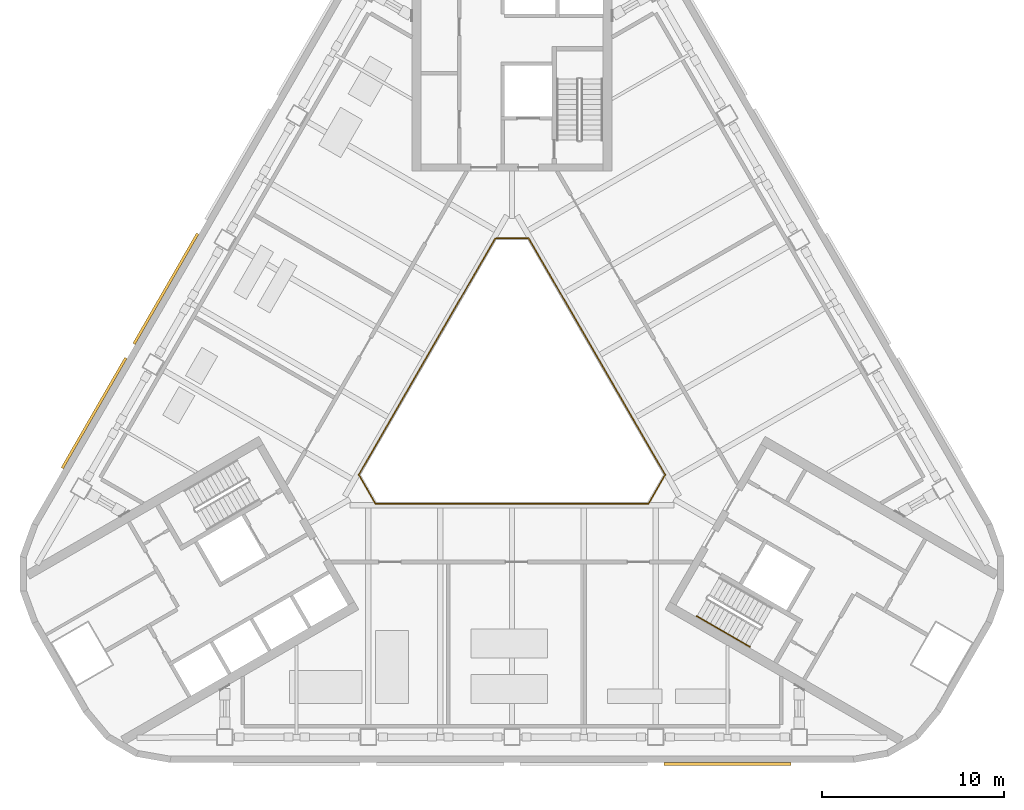
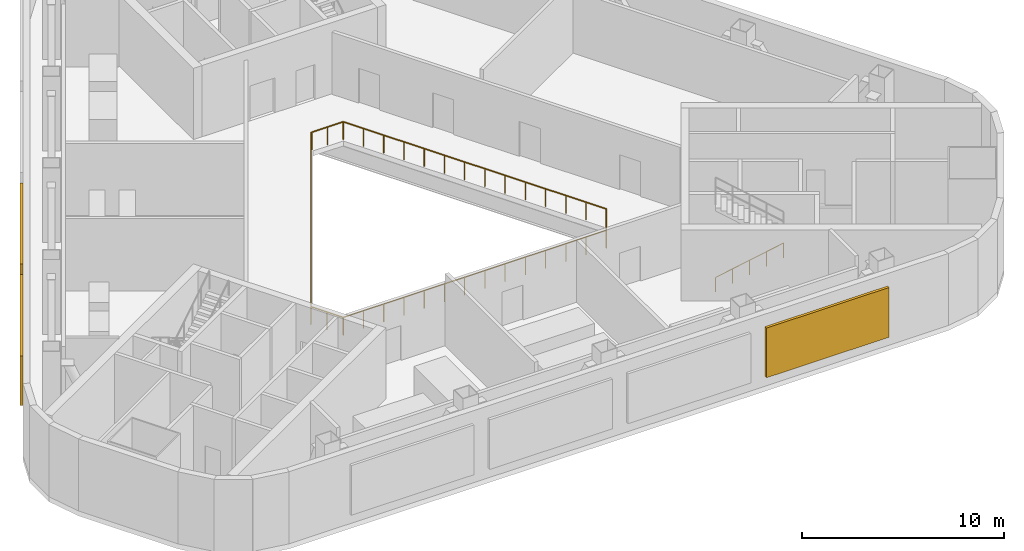
# One storey, part 11 of 14: 3 railings, 3 shading devices.
"""IFC4 building model written with IfcOpenShell, lengths in metres."""

from ifc_helpers import new_model, si_unit, direction, frame, origin, origin_2d, place, context, subcontext, project, spatial, rectangle, circle, extrude, material, type_object, element, save


model = new_model("IFC4")

# Units and contexts
model_context = context("Model", 3, precision=1e-05, world=origin(), true_north=direction((0.0, 1.0)))
body_context = subcontext(model_context, "Body", "Model", "MODEL_VIEW")
ifc_project = project(units=[si_unit("LENGTHUNIT", "METRE"), si_unit("AREAUNIT", "SQUARE_METRE"), si_unit("VOLUMEUNIT", "CUBIC_METRE"), si_unit("PLANEANGLEUNIT", "RADIAN"), si_unit("MASSUNIT", "GRAM", prefix="KILO")], contexts=[model_context])

# Site, building, storey
site_placement = place(None, origin())
site = spatial("IfcSite", under=ifc_project, at=site_placement, CompositionType="ELEMENT")
building_placement = place(site_placement, origin())
building = spatial("IfcBuilding", under=site, at=building_placement, Name="Apuvela Tower Hotel", CompositionType="ELEMENT")
storey_placement = place(building_placement, frame((0.0, 0.0, 142.10009765625)))
storey = spatial("IfcBuildingStorey", under=building, at=storey_placement, Name="L33 Plant", CompositionType="ELEMENT", Elevation=142.10009765625)

# Railings
ifc_material_1 = material(Name="Stainless steel 316 handrail", Category="steel")
railing_type_1 = type_object("IfcRailingType", Name="COR-HANDRAIL-900", PredefinedType="HANDRAIL", material=ifc_material_1)
railing_1_placement = place(storey_placement, frame((10.1689453125, -11.5869140625, 0.173095703125)))
element("IfcRailing", 1, at=railing_1_placement, inside=storey, type_object=railing_type_1, Name="L33 Plant ST3 stair handrail 1", PredefinedType="HANDRAIL", context=body_context, shape_type="SweptSolid", body=[
    extrude(circle(Radius=0.02392578125, at=origin_2d()), frame((0.0, 0.0, 0.8759765625), z_axis=(0.736667954249, -0.425288379326, 0.525785240943), x_axis=(0.499976138585, 0.866039179741, 0.0)), (0.0, 0.0, 1.0), 3.9501953125),
    extrude(rectangle(XDim=0.0419921875, YDim=0.0419921875, at=origin_2d()), origin(), (0.0, 0.0, 1.0), 0.851806640625),
    extrude(rectangle(XDim=0.0419921875, YDim=0.0419921875, at=origin_2d()), frame((0.7275390625, -0.419921875, 0.519287109375)), (0.0, 0.0, 1.0), 0.851806640625),
    extrude(rectangle(XDim=0.0419921875, YDim=0.0419921875, at=origin_2d()), frame((1.455078125, -0.83984375, 1.03857421875)), (0.0, 0.0, 1.0), 0.851806640625),
    extrude(rectangle(XDim=0.0419921875, YDim=0.0419921875, at=origin_2d()), frame((2.182373046875, -1.260009765625, 1.5576171875)), (0.0, 0.0, 1.0), 0.851806640625),
    extrude(rectangle(XDim=0.0419921875, YDim=0.0419921875, at=origin_2d()), frame((2.909912109375, -1.679931640625, 2.076904296875)), (0.0, 0.0, 1.0), 0.851806640625),
])
ifc_material_2 = material(Name="Stainless steel 316 rail with laminated glass infill", Category="steel")
railing_type_2 = type_object("IfcRailingType", Name="ENV-GUARD-1100", PredefinedType="GUARDRAIL", material=ifc_material_2)
railing_2_placement = place(storey_placement, frame((-0.923828125, 9.199951171875, 0.0)))
element("IfcRailing", 2, at=railing_2_placement, inside=storey, type_object=railing_type_2, Name="Atrium void guard A L33 Plant", PredefinedType="GUARDRAIL", context=body_context, shape_type="SweptSolid", body=[
    extrude(rectangle(XDim=0.050048828125, YDim=0.050048828125, at=origin_2d()), frame((0.0, 0.0, 1.0751953125), z_axis=(-0.499990886379, -0.866030665472, 0.0), x_axis=(0.866030665472, -0.499990886379, 0.0)), (0.0, 0.0, 1.0), 15.010986328125),
    extrude(rectangle(XDim=0.050048828125, YDim=0.050048828125, at=origin_2d()), frame((-7.50537109375, -13.0, 1.0751953125), z_axis=(0.499962699187, -0.866046938348, 0.0), x_axis=(0.866046938348, 0.499962699187, 0.0)), (0.0, 0.0, 1.0), 1.847412109375),
    extrude(rectangle(XDim=0.050048828125, YDim=0.050048828125, at=origin_2d()), frame((-6.581787109375, -14.599853515625, 1.0751953125), z_axis=(1.0, 0.0, 0.0), x_axis=(0.0, 1.0, 0.0)), (0.0, 0.0, 1.0), 15.01123046875),
    extrude(rectangle(XDim=0.0400390625, YDim=0.0400390625, at=origin_2d()), origin(), (0.0, 0.0, 1.0), 1.050048828125),
    extrude(rectangle(XDim=0.0400390625, YDim=0.0400390625, at=origin_2d()), frame((-0.577392578125, -1.0, 0.0)), (0.0, 0.0, 1.0), 1.050048828125),
    extrude(rectangle(XDim=0.0400390625, YDim=0.0400390625, at=origin_2d()), frame((-1.15478515625, -2.0, 0.0)), (0.0, 0.0, 1.0), 1.050048828125),
    extrude(rectangle(XDim=0.0400390625, YDim=0.0400390625, at=origin_2d()), frame((-1.73193359375, -3.0, 0.0)), (0.0, 0.0, 1.0), 1.050048828125),
    extrude(rectangle(XDim=0.0400390625, YDim=0.0400390625, at=origin_2d()), frame((-2.309326171875, -4.0, 0.0)), (0.0, 0.0, 1.0), 1.050048828125),
    extrude(rectangle(XDim=0.0400390625, YDim=0.0400390625, at=origin_2d()), frame((-2.88671875, -5.0, 0.0)), (0.0, 0.0, 1.0), 1.050048828125),
    extrude(rectangle(XDim=0.0400390625, YDim=0.0400390625, at=origin_2d()), frame((-3.464111328125, -6.0, 0.0)), (0.0, 0.0, 1.0), 1.050048828125),
    extrude(rectangle(XDim=0.0400390625, YDim=0.0400390625, at=origin_2d()), frame((-4.041259765625, -7.0, 0.0)), (0.0, 0.0, 1.0), 1.050048828125),
    extrude(rectangle(XDim=0.0400390625, YDim=0.0400390625, at=origin_2d()), frame((-4.61865234375, -8.0, 0.0)), (0.0, 0.0, 1.0), 1.050048828125),
    extrude(rectangle(XDim=0.0400390625, YDim=0.0400390625, at=origin_2d()), frame((-5.196044921875, -9.0, 0.0)), (0.0, 0.0, 1.0), 1.050048828125),
    extrude(rectangle(XDim=0.0400390625, YDim=0.0400390625, at=origin_2d()), frame((-5.7734375, -10.0, 0.0)), (0.0, 0.0, 1.0), 1.050048828125),
    extrude(rectangle(XDim=0.0400390625, YDim=0.0400390625, at=origin_2d()), frame((-6.3505859375, -11.0, 0.0)), (0.0, 0.0, 1.0), 1.050048828125),
    extrude(rectangle(XDim=0.0400390625, YDim=0.0400390625, at=origin_2d()), frame((-6.927978515625, -12.0, 0.0)), (0.0, 0.0, 1.0), 1.050048828125),
    extrude(rectangle(XDim=0.0400390625, YDim=0.0400390625, at=origin_2d()), frame((-7.50537109375, -13.0, 0.0)), (0.0, 0.0, 1.0), 1.050048828125),
    extrude(rectangle(XDim=0.0400390625, YDim=0.0400390625, at=origin_2d()), frame((-7.04345703125, -13.7998046875, 0.0)), (0.0, 0.0, 1.0), 1.050048828125),
    extrude(rectangle(XDim=0.0400390625, YDim=0.0400390625, at=origin_2d()), frame((-6.581787109375, -14.599853515625, 0.0)), (0.0, 0.0, 1.0), 1.050048828125),
    extrude(rectangle(XDim=0.0400390625, YDim=0.0400390625, at=origin_2d()), frame((-5.427001953125, -14.599853515625, 0.0)), (0.0, 0.0, 1.0), 1.050048828125),
    extrude(rectangle(XDim=0.0400390625, YDim=0.0400390625, at=origin_2d()), frame((-4.2724609375, -14.599853515625, 0.0)), (0.0, 0.0, 1.0), 1.050048828125),
    extrude(rectangle(XDim=0.0400390625, YDim=0.0400390625, at=origin_2d()), frame((-3.11767578125, -14.599853515625, 0.0)), (0.0, 0.0, 1.0), 1.050048828125),
    extrude(rectangle(XDim=0.0400390625, YDim=0.0400390625, at=origin_2d()), frame((-1.962890625, -14.599853515625, 0.0)), (0.0, 0.0, 1.0), 1.050048828125),
    extrude(rectangle(XDim=0.0400390625, YDim=0.0400390625, at=origin_2d()), frame((-0.808349609375, -14.599853515625, 0.0)), (0.0, 0.0, 1.0), 1.050048828125),
    extrude(rectangle(XDim=0.0400390625, YDim=0.0400390625, at=origin_2d()), frame((0.346435546875, -14.599853515625, 0.0)), (0.0, 0.0, 1.0), 1.050048828125),
    extrude(rectangle(XDim=0.0400390625, YDim=0.0400390625, at=origin_2d()), frame((1.501220703125, -14.599853515625, 0.0)), (0.0, 0.0, 1.0), 1.050048828125),
    extrude(rectangle(XDim=0.0400390625, YDim=0.0400390625, at=origin_2d()), frame((2.656005859375, -14.599853515625, 0.0)), (0.0, 0.0, 1.0), 1.050048828125),
    extrude(rectangle(XDim=0.0400390625, YDim=0.0400390625, at=origin_2d()), frame((3.810546875, -14.599853515625, 0.0)), (0.0, 0.0, 1.0), 1.050048828125),
    extrude(rectangle(XDim=0.0400390625, YDim=0.0400390625, at=origin_2d()), frame((4.96533203125, -14.599853515625, 0.0)), (0.0, 0.0, 1.0), 1.050048828125),
    extrude(rectangle(XDim=0.0400390625, YDim=0.0400390625, at=origin_2d()), frame((6.1201171875, -14.599853515625, 0.0)), (0.0, 0.0, 1.0), 1.050048828125),
    extrude(rectangle(XDim=0.0400390625, YDim=0.0400390625, at=origin_2d()), frame((7.274658203125, -14.599853515625, 0.0)), (0.0, 0.0, 1.0), 1.050048828125),
    extrude(rectangle(XDim=0.0400390625, YDim=0.0400390625, at=origin_2d()), frame((8.429443359375, -14.599853515625, 0.0)), (0.0, 0.0, 1.0), 1.050048828125),
])
railing_3_placement = place(storey_placement, frame((7.53564453125, -5.347900390625, 0.0)))
element("IfcRailing", 3, at=railing_3_placement, inside=storey, type_object=railing_type_2, Name="Atrium void guard B L33 Plant", PredefinedType="GUARDRAIL", context=body_context, shape_type="SweptSolid", body=[
    extrude(rectangle(XDim=0.050048828125, YDim=0.050048828125, at=origin_2d()), frame((0.0, 0.0, 1.0751953125), z_axis=(0.499958946799, 0.866049104564, 0.0), x_axis=(-0.866049104564, 0.499958946799, 0.0)), (0.0, 0.0, 1.0), 1.787353515625),
    extrude(rectangle(XDim=0.050048828125, YDim=0.050048828125, at=origin_2d()), frame((0.8935546875, 1.5478515625, 1.0751953125), z_axis=(-0.499990886379, 0.866030665472, 0.0), x_axis=(-0.866030665472, -0.499990886379, 0.0)), (0.0, 0.0, 1.0), 15.010986328125),
    extrude(rectangle(XDim=0.050048828125, YDim=0.050048828125, at=origin_2d()), frame((-6.61181640625, 14.5478515625, 1.0751953125), z_axis=(-1.0, 0.0, 0.0), x_axis=(0.0, -1.0, 0.0)), (0.0, 0.0, 1.0), 1.78759765625),
    extrude(rectangle(XDim=0.0400390625, YDim=0.0400390625, at=origin_2d()), origin(), (0.0, 0.0, 1.0), 1.050048828125),
    extrude(rectangle(XDim=0.0400390625, YDim=0.0400390625, at=origin_2d()), frame((0.44677734375, 0.77392578125, 0.0)), (0.0, 0.0, 1.0), 1.050048828125),
    extrude(rectangle(XDim=0.0400390625, YDim=0.0400390625, at=origin_2d()), frame((0.8935546875, 1.5478515625, 0.0)), (0.0, 0.0, 1.0), 1.050048828125),
    extrude(rectangle(XDim=0.0400390625, YDim=0.0400390625, at=origin_2d()), frame((0.316162109375, 2.5478515625, 0.0)), (0.0, 0.0, 1.0), 1.050048828125),
    extrude(rectangle(XDim=0.0400390625, YDim=0.0400390625, at=origin_2d()), frame((-0.26123046875, 3.5478515625, 0.0)), (0.0, 0.0, 1.0), 1.050048828125),
    extrude(rectangle(XDim=0.0400390625, YDim=0.0400390625, at=origin_2d()), frame((-0.83837890625, 4.5478515625, 0.0)), (0.0, 0.0, 1.0), 1.050048828125),
    extrude(rectangle(XDim=0.0400390625, YDim=0.0400390625, at=origin_2d()), frame((-1.415771484375, 5.5478515625, 0.0)), (0.0, 0.0, 1.0), 1.050048828125),
    extrude(rectangle(XDim=0.0400390625, YDim=0.0400390625, at=origin_2d()), frame((-1.9931640625, 6.5478515625, 0.0)), (0.0, 0.0, 1.0), 1.050048828125),
    extrude(rectangle(XDim=0.0400390625, YDim=0.0400390625, at=origin_2d()), frame((-2.570556640625, 7.5478515625, 0.0)), (0.0, 0.0, 1.0), 1.050048828125),
    extrude(rectangle(XDim=0.0400390625, YDim=0.0400390625, at=origin_2d()), frame((-3.147705078125, 8.5478515625, 0.0)), (0.0, 0.0, 1.0), 1.050048828125),
    extrude(rectangle(XDim=0.0400390625, YDim=0.0400390625, at=origin_2d()), frame((-3.72509765625, 9.5478515625, 0.0)), (0.0, 0.0, 1.0), 1.050048828125),
    extrude(rectangle(XDim=0.0400390625, YDim=0.0400390625, at=origin_2d()), frame((-4.302490234375, 10.5478515625, 0.0)), (0.0, 0.0, 1.0), 1.050048828125),
    extrude(rectangle(XDim=0.0400390625, YDim=0.0400390625, at=origin_2d()), frame((-4.8798828125, 11.5478515625, 0.0)), (0.0, 0.0, 1.0), 1.050048828125),
    extrude(rectangle(XDim=0.0400390625, YDim=0.0400390625, at=origin_2d()), frame((-5.45703125, 12.5478515625, 0.0)), (0.0, 0.0, 1.0), 1.050048828125),
    extrude(rectangle(XDim=0.0400390625, YDim=0.0400390625, at=origin_2d()), frame((-6.034423828125, 13.5478515625, 0.0)), (0.0, 0.0, 1.0), 1.050048828125),
    extrude(rectangle(XDim=0.0400390625, YDim=0.0400390625, at=origin_2d()), frame((-6.61181640625, 14.5478515625, 0.0)), (0.0, 0.0, 1.0), 1.050048828125),
    extrude(rectangle(XDim=0.0400390625, YDim=0.0400390625, at=origin_2d()), frame((-7.505615234375, 14.5478515625, 0.0)), (0.0, 0.0, 1.0), 1.050048828125),
    extrude(rectangle(XDim=0.0400390625, YDim=0.0400390625, at=origin_2d()), frame((-8.3994140625, 14.5478515625, 0.0)), (0.0, 0.0, 1.0), 1.050048828125),
])

# Shading devices
ifc_material_3 = material(Name="Aluminium 6063-T6, black anodised louvre blades", Category="aluminium")
shading_device_type = type_object("IfcShadingDeviceType", Name="ENV-LOUVRE-SCREEN", PredefinedType="USERDEFINED", material=ifc_material_3)
for number, where, z_axis, x_axis, name in (
    (4, (11.85009765625, -19.705078125, 0.599853515625), (0.0, 0.0, 1.0), (1.0, 0.0, 0.0), "Plant louvre S4"),
    (5, (-19.0400390625, 6.431640625, 0.599853515625), (0.0, 0.0, 1.0), (-0.5, -0.866025403784, 0.0), "Plant louvre NW11"),
    (6, (-22.989990234375, -0.409912109375, 0.599853515625), (0.0, 0.0, 1.0), (-0.5, -0.866025403784, 0.0), "Plant louvre NW12"),
):
    element("IfcShadingDevice", number, at=place(storey_placement, frame(where, z_axis=z_axis, x_axis=x_axis)), inside=storey, type_object=shading_device_type, Name=name, ObjectType="LOUVRE", PredefinedType="USERDEFINED", context=body_context, shape_type="SweptSolid", body=[
        extrude(rectangle(XDim=7.0, YDim=0.14990234375, at=origin_2d()), origin(), (0.0, 0.0, 1.0), 3.0),
    ])

save(model, "model.ifc")
